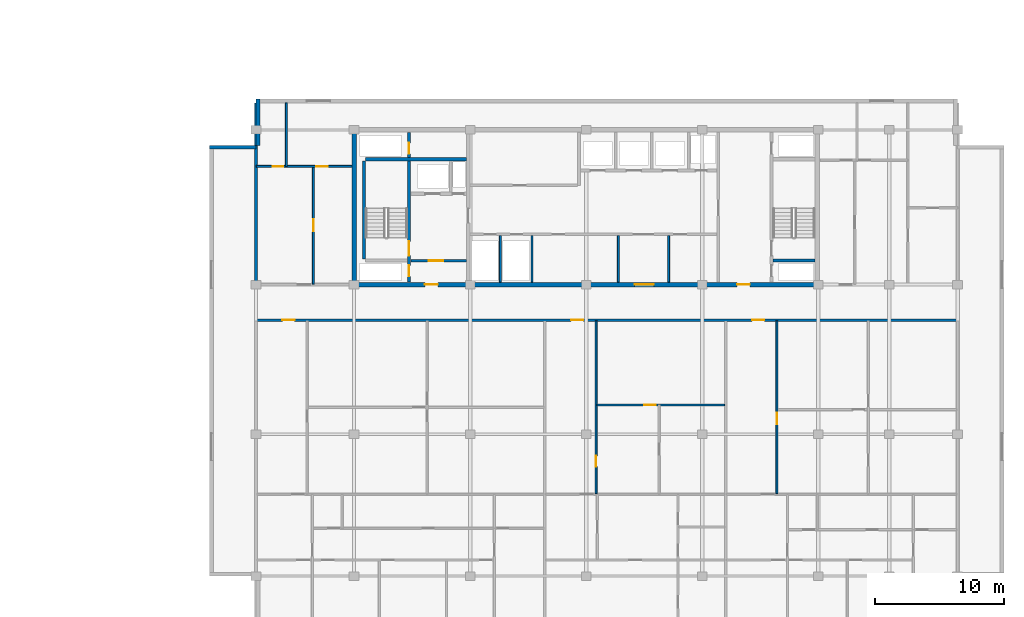
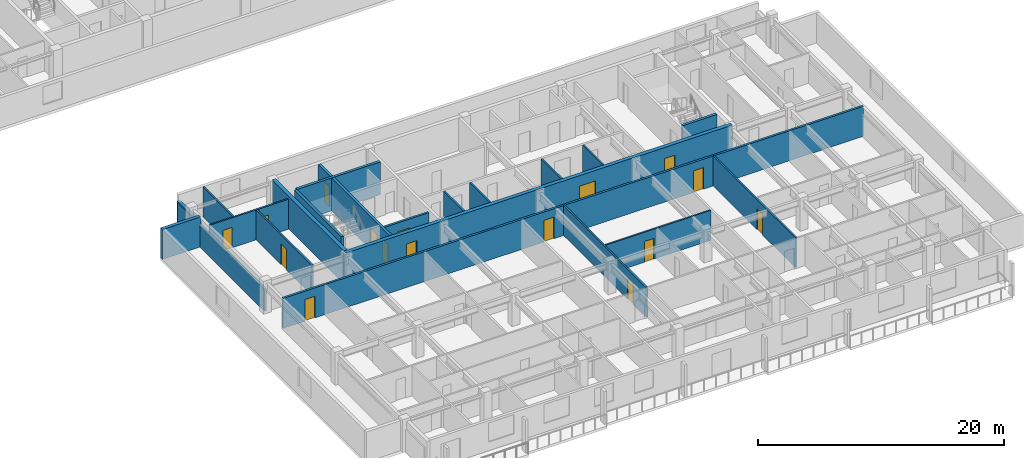
# One storey, part 6 of 22: 21 walls, 16 doors, 16 openings.
"""IFC4 building model written with IfcOpenShell, lengths in metres."""

from ifc_helpers import new_model, si_unit, direction, frame, frame_2d, origin, place, context, subcontext, project, spatial, rectangle, extrude, material, layer, layer_set, type_object, element, fill, save


model = new_model("IFC4")

# Units and contexts
model_context = context("Model", 3, precision=1e-05, world=origin(), true_north=direction((0.0, 1.0)))
body_context = subcontext(model_context, "Body", "Model", "MODEL_VIEW")
ifc_project = project(units=[si_unit("LENGTHUNIT", "METRE"), si_unit("AREAUNIT", "SQUARE_METRE"), si_unit("VOLUMEUNIT", "CUBIC_METRE"), si_unit("PLANEANGLEUNIT", "RADIAN"), si_unit("MASSUNIT", "GRAM", prefix="KILO")], contexts=[model_context])

# Site, building, storey
site_placement = place(None, origin())
site = spatial("IfcSite", under=ifc_project, at=site_placement, CompositionType="ELEMENT")
building_placement = place(site_placement, origin())
building = spatial("IfcBuilding", under=site, at=building_placement, Name="Korimba Cascade Residences", CompositionType="ELEMENT")
storey_placement = place(building_placement, frame((0.0, 0.0, 194.60009765625)))
storey = spatial("IfcBuildingStorey", under=building, at=storey_placement, Name="L56", CompositionType="ELEMENT", Elevation=194.60009765625)

# Walls
ifc_material_1 = material(Name="Precast concrete C40/50", Category="concrete")
ifc_layer_1 = layer(ifc_material_1, 0.300048828125)
ifc_layer_set_1 = layer_set([ifc_layer_1], Name="Precast concrete C40/50")
wall_type_1 = type_object("IfcWallType", Name="EW-STONE-300", PredefinedType="STANDARD", material=ifc_layer_set_1)
wall_1_placement = place(storey_placement, frame((74.64990234375, 32.800048828125, 0.0), z_axis=(0.0, 0.0, 1.0), x_axis=(0.0, -1.0, 0.0)))
element("IfcWall", 1, at=wall_1_placement, inside=storey, type_object=wall_type_1, Name="L56 T2 Perimeter Stone Wall E07", PredefinedType="STANDARD", context=body_context, shape_type="SweptSolid", body=[
    extrude(rectangle(XDim=3.60009765625, YDim=0.300048828125, at=frame_2d((1.800048828125, 0.0))), origin(), (0.0, 0.0, 1.0), 2.2001953125),
])
wall_2_placement = place(storey_placement, frame((74.5, 29.050048828125, 0.0), z_axis=(0.0, 0.0, 1.0), x_axis=(-1.0, 0.0, 0.0)))
element("IfcWall", 2, at=wall_2_placement, inside=storey, type_object=wall_type_1, Name="L56 T2 Perimeter Stone Wall E08", PredefinedType="STANDARD", context=body_context, shape_type="SweptSolid", body=[
    extrude(rectangle(XDim=3.60009765625, YDim=0.300048828125, at=frame_2d((1.800048828125, 0.0))), origin(), (0.0, 0.0, 1.0), 2.969970703125),
])
ifc_material_2 = material(Name="Concrete C65/80", Category="concrete")
ifc_layer_2 = layer(ifc_material_2, 0.35009765625)
ifc_layer_set_2 = layer_set([ifc_layer_2], Name="Concrete C65/80")
wall_type_2 = type_object("IfcWallType", Name="WAL-CORE-350", PredefinedType="SHEAR", material=ifc_layer_set_2)
wall_3_placement = place(storey_placement, frame((82.10009765625, 18.574951171875, 0.0), z_axis=(0.0, 0.0, 1.0), x_axis=(0.0, 1.0, 0.0)))
element("IfcWall", 3, at=wall_3_placement, inside=storey, type_object=wall_type_2, Name="L56 Core Shear Wall CW-L56-T2-W", PredefinedType="SHEAR", context=body_context, shape_type="SweptSolid", body=[
    extrude(rectangle(XDim=11.650146484375, YDim=0.35009765625, at=frame_2d((5.8251953125, 0.0))), origin(), (0.0, 0.0, 1.0), 3.25),
])

# Wall, openings, doors
wall_4_placement = place(storey_placement, frame((81.925048828125, 18.39990234375, 0.0), z_axis=(0.0, 0.0, 1.0), x_axis=(1.0, 0.0, 0.0)))
wall_4 = element("IfcWall", 4, at=wall_4_placement, inside=storey, type_object=wall_type_2, Name="L56 Core Shear Wall CW-L56-T2-S", PredefinedType="SHEAR", context=body_context, shape_type="SweptSolid", body=[
    extrude(rectangle(XDim=36.264892578125, YDim=0.35009765625, at=frame_2d((18.13232421875, 0.0))), origin(), (0.0, 0.0, 1.0), 3.25),
])
opening_1_placement = place(wall_4_placement, frame((5.675048828125, 0.0, 0.0)))
opening_1 = element("IfcOpeningElement", 5, at=opening_1_placement, cuts=wall_4, Name="Opening D-FD5", PredefinedType="OPENING", context=body_context, shape_type="SweptSolid", body=[
    extrude(rectangle(XDim=1.0, YDim=2.14990234375, at=frame_2d((0.5, 1.074951171875))), frame((0.0, 0.18505859375, 0.0), z_axis=(0.0, -1.0, 0.0), x_axis=(1.0, 0.0, 0.0)), (0.0, 0.0, 1.0), 0.3701171875),
])
opening_2_placement = place(wall_4_placement, frame((21.925048828125, 0.0, 0.0)))
opening_2 = element("IfcOpeningElement", 6, at=opening_2_placement, cuts=wall_4, Name="Opening D-FD8", PredefinedType="OPENING", context=body_context, shape_type="SweptSolid", body=[
    extrude(rectangle(XDim=1.5, YDim=2.199951171875, at=frame_2d((0.75, 1.10009765625))), frame((0.0, 0.18505859375, 0.0), z_axis=(0.0, -1.0, 0.0), x_axis=(1.0, 0.0, 0.0)), (0.0, 0.0, 1.0), 0.3701171875),
])
opening_3_placement = place(wall_4_placement, frame((29.875, 0.0, 0.0)))
opening_3 = element("IfcOpeningElement", 7, at=opening_3_placement, cuts=wall_4, Name="Opening D-FD5", PredefinedType="OPENING", context=body_context, shape_type="SweptSolid", body=[
    extrude(rectangle(XDim=1.0, YDim=2.14990234375, at=frame_2d((0.5, 1.074951171875))), frame((0.0, 0.18505859375, 0.0), z_axis=(0.0, -1.0, 0.0), x_axis=(1.0, 0.0, 0.0)), (0.0, 0.0, 1.0), 0.3701171875),
])
ifc_material_3 = material(Name="Fire-Rated Acoustic Timber Vestibule Door", Category="wood")
door_type_1 = type_object("IfcDoorType", Name="DR-FD90-1000", OperationType="NOTDEFINED", PredefinedType="DOOR", material=ifc_material_3)
door_1_placement = place(opening_1_placement, origin())
door_1 = element("IfcDoor", 8, at=door_1_placement, inside=storey, type_object=door_type_1, Name="L56 T2 West Core Vestibule Fire Door", OperationType="SINGLE_SWING_LEFT", OverallHeight=2.14990234375, OverallWidth=1.0, PredefinedType="DOOR", context=body_context, shape_type="SweptSolid", body=[
    extrude(rectangle(XDim=1.0, YDim=2.14990234375, at=frame_2d((0.5, 1.074951171875))), frame((0.0, 0.02490234375, 0.0), z_axis=(0.0, -1.0, 0.0), x_axis=(1.0, 0.0, 0.0)), (0.0, 0.0, 1.0), 0.050048828125),
])
fill(opening_1, door_1)
door_2_placement = place(opening_3_placement, origin())
door_2 = element("IfcDoor", 9, at=door_2_placement, inside=storey, type_object=door_type_1, Name="L56 T2 East Stair Vestibule Fire Door", OperationType="SINGLE_SWING_RIGHT", OverallHeight=2.14990234375, OverallWidth=1.0, PredefinedType="DOOR", context=body_context, shape_type="SweptSolid", body=[
    extrude(rectangle(XDim=1.0, YDim=2.14990234375, at=frame_2d((0.5, 1.074951171875))), frame((0.0, 0.02490234375, 0.0), z_axis=(0.0, -1.0, 0.0), x_axis=(1.0, 0.0, 0.0)), (0.0, 0.0, 1.0), 0.050048828125),
])
fill(opening_3, door_2)
ifc_material_4 = material(Name="Fire-Rated Glazed Lift Lobby Double Door", Category="glass")
door_type_2 = type_object("IfcDoorType", Name="DR-FD90-1500", OperationType="NOTDEFINED", PredefinedType="DOOR", material=ifc_material_4)
door_3_placement = place(opening_2_placement, origin())
door_3 = element("IfcDoor", 10, at=door_3_placement, inside=storey, type_object=door_type_2, Name="L56 T2 Lift Lobby Fire Door", OperationType="DOUBLE_DOOR_SINGLE_SWING", OverallHeight=2.199951171875, OverallWidth=1.5, PredefinedType="DOOR", context=body_context, shape_type="SweptSolid", body=[
    extrude(rectangle(XDim=1.5, YDim=2.199951171875, at=frame_2d((0.75, 1.10009765625))), frame((0.0, 0.02490234375, 0.0), z_axis=(0.0, -1.0, 0.0), x_axis=(1.0, 0.0, 0.0)), (0.0, 0.0, 1.0), 0.050048828125),
])
fill(opening_2, door_3)

# Wall
ifc_layer_3 = layer(ifc_material_1, 0.199951171875)
ifc_layer_set_3 = layer_set([ifc_layer_3], Name="Precast concrete C40/50")
wall_type_3 = type_object("IfcWallType", Name="WAL-IT-200", PredefinedType="PARTITIONING", material=ifc_layer_set_3)
wall_5_placement = place(storey_placement, frame((74.5, 18.39990234375, 0.0), z_axis=(0.0, 0.0, 1.0), x_axis=(0.0, 1.0, 0.0)))
element("IfcWall", 11, at=wall_5_placement, inside=storey, type_object=wall_type_3, Name="L56 Partition Wall WAL-L56-T2-FW-WL", PredefinedType="PARTITIONING", context=body_context, shape_type="SweptSolid", body=[
    extrude(rectangle(XDim=14.10009765625, YDim=0.199951171875, at=frame_2d((7.050048828125, 0.0))), origin(), (0.0, 0.0, 1.0), 2.2001953125),
])

# Wall, openings, doors
wall_6_placement = place(storey_placement, frame((74.5, 15.64990234375, 0.0), z_axis=(0.0, 0.0, 1.0), x_axis=(1.0, 0.0, 0.0)))
wall_6 = element("IfcWall", 12, at=wall_6_placement, inside=storey, type_object=wall_type_3, Name="L56 Partition Wall WAL-L56-T2-CORS", PredefinedType="PARTITIONING", context=body_context, shape_type="SweptSolid", body=[
    extrude(rectangle(XDim=54.39990234375, YDim=0.199951171875, at=frame_2d((27.199951171875, 0.0))), origin(), (0.0, 0.0, 1.0), 2.969970703125),
])
opening_4_placement = place(wall_6_placement, frame((2.044921875, 0.0, 0.0)))
opening_4 = element("IfcOpeningElement", 13, at=opening_4_placement, cuts=wall_6, Name="Opening D-UN1", PredefinedType="OPENING", context=body_context, shape_type="SweptSolid", body=[
    extrude(rectangle(XDim=0.949951171875, YDim=2.14990234375, at=frame_2d((0.47509765625, 1.074951171875))), frame((0.0, 0.10986328125, 0.0), z_axis=(0.0, -1.0, 0.0), x_axis=(1.0, 0.0, 0.0)), (0.0, 0.0, 1.0), 0.219970703125),
])
opening_5_placement = place(wall_6_placement, frame((24.444091796875, 0.0, 0.0)))
opening_5 = element("IfcOpeningElement", 14, at=opening_5_placement, cuts=wall_6, Name="Opening D-UN1", PredefinedType="OPENING", context=body_context, shape_type="SweptSolid", body=[
    extrude(rectangle(XDim=0.949951171875, YDim=2.14990234375, at=frame_2d((0.47509765625, 1.074951171875))), frame((0.0, 0.10986328125, 0.0), z_axis=(0.0, -1.0, 0.0), x_axis=(1.0, 0.0, 0.0)), (0.0, 0.0, 1.0), 0.219970703125),
])
opening_6_placement = place(wall_6_placement, frame((38.46630859375, 0.0, 0.0)))
opening_6 = element("IfcOpeningElement", 15, at=opening_6_placement, cuts=wall_6, Name="Opening D-UN1", PredefinedType="OPENING", context=body_context, shape_type="SweptSolid", body=[
    extrude(rectangle(XDim=0.949951171875, YDim=2.14990234375, at=frame_2d((0.47509765625, 1.074951171875))), frame((0.0, 0.10986328125, 0.0), z_axis=(0.0, -1.0, 0.0), x_axis=(1.0, 0.0, 0.0)), (0.0, 0.0, 1.0), 0.219970703125),
])
ifc_material_5 = material(Name="Fire-Rated Hardwood Apartment Entrance Door", Category="wood")
door_type_3 = type_object("IfcDoorType", Name="DR-FD60-950", OperationType="NOTDEFINED", PredefinedType="DOOR", material=ifc_material_5)
door_4_placement = place(opening_4_placement, origin())
door_4 = element("IfcDoor", 16, at=door_4_placement, inside=storey, type_object=door_type_3, Name="Unit L56-T2-U01 Entrance Door", OperationType="SINGLE_SWING_LEFT", OverallHeight=2.14990234375, OverallWidth=0.949951171875, PredefinedType="DOOR", context=body_context, shape_type="SweptSolid", body=[
    extrude(rectangle(XDim=0.949951171875, YDim=2.14990234375, at=frame_2d((0.47509765625, 1.074951171875))), frame((0.0, 0.02490234375, 0.0), z_axis=(0.0, -1.0, 0.0), x_axis=(1.0, 0.0, 0.0)), (0.0, 0.0, 1.0), 0.050048828125),
])
fill(opening_4, door_4)
door_5_placement = place(opening_5_placement, origin())
door_5 = element("IfcDoor", 17, at=door_5_placement, inside=storey, type_object=door_type_3, Name="Unit L56-T2-U02 Entrance Door", OperationType="SINGLE_SWING_RIGHT", OverallHeight=2.14990234375, OverallWidth=0.949951171875, PredefinedType="DOOR", context=body_context, shape_type="SweptSolid", body=[
    extrude(rectangle(XDim=0.949951171875, YDim=2.14990234375, at=frame_2d((0.47509765625, 1.074951171875))), frame((0.0, 0.02490234375, 0.0), z_axis=(0.0, -1.0, 0.0), x_axis=(1.0, 0.0, 0.0)), (0.0, 0.0, 1.0), 0.050048828125),
])
fill(opening_5, door_5)
door_6_placement = place(opening_6_placement, origin())
door_6 = element("IfcDoor", 18, at=door_6_placement, inside=storey, type_object=door_type_3, Name="Unit L56-T2-U03 Entrance Door", OperationType="SINGLE_SWING_LEFT", OverallHeight=2.14990234375, OverallWidth=0.949951171875, PredefinedType="DOOR", context=body_context, shape_type="SweptSolid", body=[
    extrude(rectangle(XDim=0.949951171875, YDim=2.14990234375, at=frame_2d((0.47509765625, 1.074951171875))), frame((0.0, 0.02490234375, 0.0), z_axis=(0.0, -1.0, 0.0), x_axis=(1.0, 0.0, 0.0)), (0.0, 0.0, 1.0), 0.050048828125),
])
fill(opening_6, door_6)

# Walls
ifc_material_6 = material(Name="Insulated Acoustic Stud Partition", Category="gypsum")
ifc_layer_4 = layer(ifc_material_6, 0.14990234375)
ifc_layer_set_4 = layer_set([ifc_layer_4], Name="Insulated Acoustic Stud Partition")
wall_type_4 = type_object("IfcWallType", Name="WAL-PART-150", PredefinedType="PARTITIONING", material=ifc_layer_set_4)
for number, where, z_axis, x_axis, name in (
    (19, (93.449951171875, 18.60009765625, 0.0), (0.0, 0.0, 1.0), (0.0, 1.0, 0.0), "L56 Partition Wall CW-L56-T2-ERDIV"),
    (20, (95.89990234375, 18.60009765625, 0.0), (0.0, 0.0, 1.0), (0.0, 1.0, 0.0), "L56 Partition Wall CW-L56-T2-PRDIV"),
    (21, (102.60009765625, 18.60009765625, 0.0), (0.0, 0.0, 1.0), (0.0, 1.0, 0.0), "L56 Partition Wall CW-L56-T2-THW"),
    (22, (106.5, 18.60009765625, 0.0), (0.0, 0.0, 1.0), (0.0, 1.0, 0.0), "L56 Partition Wall CW-L56-T2-THE"),
):
    element("IfcWall", number, at=place(storey_placement, frame(where, z_axis=z_axis, x_axis=x_axis)), inside=storey, type_object=wall_type_4, Name=name, PredefinedType="PARTITIONING", context=body_context, shape_type="SweptSolid", body=[
        extrude(rectangle(XDim=3.599853515625, YDim=0.14990234375, at=frame_2d((1.7998046875, 0.0))), origin(), (0.0, 0.0, 1.0), 2.969970703125),
    ])

# Wall, opening, door
wall_7_placement = place(storey_placement, frame((78.945068359375, 18.449951171875, 0.0), z_axis=(0.0, 0.0, 1.0), x_axis=(0.0, 1.0, 0.0)))
wall_7 = element("IfcWall", 23, at=wall_7_placement, inside=storey, type_object=wall_type_4, Name="L56 Partition Wall WAL-L56-T2-FW-VS", PredefinedType="PARTITIONING", context=body_context, shape_type="SweptSolid", body=[
    extrude(rectangle(XDim=9.1201171875, YDim=0.14990234375, at=frame_2d((4.56005859375, 0.0))), origin(), (0.0, 0.0, 1.0), 2.969970703125),
])
opening_7_placement = place(wall_7_placement, frame((4.10009765625, 0.0, 0.0)))
opening_7 = element("IfcOpeningElement", 24, at=opening_7_placement, cuts=wall_7, Name="Opening D-IN1", PredefinedType="OPENING", context=body_context, shape_type="SweptSolid", body=[
    extrude(rectangle(XDim=0.919921875, YDim=2.080078125, at=frame_2d((0.4599609375, 1.0400390625))), frame((0.0, 0.0849609375, 0.0), z_axis=(0.0, -1.0, 0.0), x_axis=(1.0, 0.0, 0.0)), (0.0, 0.0, 1.0), 0.169921875),
])
ifc_material_7 = material(Name="Acoustic Timber Living Door", Category="wood")
door_type_4 = type_object("IfcDoorType", Name="DR-INT-920", OperationType="NOTDEFINED", PredefinedType="DOOR", material=ifc_material_7)
door_7_placement = place(opening_7_placement, origin())
door_7 = element("IfcDoor", 25, at=door_7_placement, inside=storey, type_object=door_type_4, Name="L56-T2-FW Living Door", OperationType="SINGLE_SWING_LEFT", OverallHeight=2.080078125, OverallWidth=0.919921875, PredefinedType="DOOR", context=body_context, shape_type="SweptSolid", body=[
    extrude(rectangle(XDim=0.919921875, YDim=2.080078125, at=frame_2d((0.4599609375, 1.0400390625))), frame((0.0, 0.02490234375, 0.0), z_axis=(0.0, -1.0, 0.0), x_axis=(1.0, 0.0, 0.0)), (0.0, 0.0, 1.0), 0.050048828125),
])
fill(opening_7, door_7)

# Wall
wall_8_placement = place(storey_placement, frame((76.85009765625, 27.570068359375, 0.0), z_axis=(0.0, 0.0, 1.0), x_axis=(0.0, 1.0, 0.0)))
element("IfcWall", 26, at=wall_8_placement, inside=storey, type_object=wall_type_4, Name="L56 Partition Wall WAL-L56-T2-FW-VN", PredefinedType="PARTITIONING", context=body_context, shape_type="SweptSolid", body=[
    extrude(rectangle(XDim=4.929931640625, YDim=0.14990234375, at=frame_2d((2.46484375, 0.0))), origin(), (0.0, 0.0, 1.0), 2.969970703125),
])

# Wall, openings, doors
wall_9_placement = place(storey_placement, frame((74.52001953125, 27.570068359375, 0.0), z_axis=(0.0, 0.0, 1.0), x_axis=(1.0, 0.0, 0.0)))
wall_9 = element("IfcWall", 27, at=wall_9_placement, inside=storey, type_object=wall_type_4, Name="L56 Partition Wall WAL-L56-T2-FW-H", PredefinedType="PARTITIONING", context=body_context, shape_type="SweptSolid", body=[
    extrude(rectangle(XDim=7.409912109375, YDim=0.14990234375, at=frame_2d((3.705078125, 0.0))), origin(), (0.0, 0.0, 1.0), 2.969970703125),
])
opening_8_placement = place(wall_9_placement, frame((1.266357421875, 0.0, 0.0)))
opening_8 = element("IfcOpeningElement", 28, at=opening_8_placement, cuts=wall_9, Name="Opening D-BT1", PredefinedType="OPENING", context=body_context, shape_type="SweptSolid", body=[
    extrude(rectangle(XDim=0.840087890625, YDim=2.0400390625, at=frame_2d((0.419921875, 1.02001953125))), frame((0.0, 0.0849609375, 0.0), z_axis=(0.0, -1.0, 0.0), x_axis=(1.0, 0.0, 0.0)), (0.0, 0.0, 1.0), 0.169921875),
])
opening_9_placement = place(wall_9_placement, frame((4.64501953125, 0.0, 0.0)))
opening_9 = element("IfcOpeningElement", 29, at=opening_9_placement, cuts=wall_9, Name="Opening D-IN2", PredefinedType="OPENING", context=body_context, shape_type="SweptSolid", body=[
    extrude(rectangle(XDim=0.8798828125, YDim=2.06005859375, at=frame_2d((0.43994140625, 1.030029296875))), frame((0.0, 0.0849609375, 0.0), z_axis=(0.0, -1.0, 0.0), x_axis=(1.0, 0.0, 0.0)), (0.0, 0.0, 1.0), 0.169921875),
])
ifc_material_8 = material(Name="Moisture-Resistant Bathroom Timber Door", Category="wood")
door_type_5 = type_object("IfcDoorType", Name="DR-INT-850", OperationType="NOTDEFINED", PredefinedType="DOOR", material=ifc_material_8)
door_8_placement = place(opening_8_placement, origin())
door_8 = element("IfcDoor", 30, at=door_8_placement, inside=storey, type_object=door_type_5, Name="L56-T2-FW Bathroom Door", OperationType="SINGLE_SWING_RIGHT", OverallHeight=2.0400390625, OverallWidth=0.840087890625, PredefinedType="DOOR", context=body_context, shape_type="SweptSolid", body=[
    extrude(rectangle(XDim=0.840087890625, YDim=2.0400390625, at=frame_2d((0.419921875, 1.02001953125))), frame((0.0, 0.02490234375, 0.0), z_axis=(0.0, -1.0, 0.0), x_axis=(1.0, 0.0, 0.0)), (0.0, 0.0, 1.0), 0.050048828125),
])
fill(opening_8, door_8)
ifc_material_9 = material(Name="Acoustic Timber Bedroom Door", Category="wood")
door_type_6 = type_object("IfcDoorType", Name="DR-INT-880", OperationType="NOTDEFINED", PredefinedType="DOOR", material=ifc_material_9)
door_9_placement = place(opening_9_placement, origin())
door_9 = element("IfcDoor", 31, at=door_9_placement, inside=storey, type_object=door_type_6, Name="L56-T2-FW Bedroom Door", OperationType="SINGLE_SWING_LEFT", OverallHeight=2.06005859375, OverallWidth=0.8798828125, PredefinedType="DOOR", context=body_context, shape_type="SweptSolid", body=[
    extrude(rectangle(XDim=0.8798828125, YDim=2.06005859375, at=frame_2d((0.43994140625, 1.030029296875))), frame((0.0, 0.02490234375, 0.0), z_axis=(0.0, -1.0, 0.0), x_axis=(1.0, 0.0, 0.0)), (0.0, 0.0, 1.0), 0.050048828125),
])
fill(opening_9, door_9)

# Wall, opening, door
wall_10_placement = place(storey_placement, frame((100.92919921875, 9.070068359375, 0.0), z_axis=(0.0, 0.0, 1.0), x_axis=(1.0, 0.0, 0.0)))
wall_10 = element("IfcWall", 32, at=wall_10_placement, inside=storey, type_object=wall_type_4, Name="L56 Partition Wall WAL-L56-T2-U02-FMH", PredefinedType="PARTITIONING", context=body_context, shape_type="SweptSolid", body=[
    extrude(rectangle(XDim=9.912109375, YDim=0.14990234375, at=frame_2d((4.9560546875, 0.0))), origin(), (0.0, 0.0, 1.0), 2.969970703125),
])
opening_10_placement = place(wall_10_placement, frame((3.66845703125, 0.0, 0.0)))
opening_10 = element("IfcOpeningElement", 33, at=opening_10_placement, cuts=wall_10, Name="Opening D-IN2", PredefinedType="OPENING", context=body_context, shape_type="SweptSolid", body=[
    extrude(rectangle(XDim=0.8798828125, YDim=2.06005859375, at=frame_2d((0.43994140625, 1.030029296875))), frame((0.0, 0.0849609375, 0.0), z_axis=(0.0, -1.0, 0.0), x_axis=(1.0, 0.0, 0.0)), (0.0, 0.0, 1.0), 0.169921875),
])
door_10_placement = place(opening_10_placement, origin())
door_10 = element("IfcDoor", 34, at=door_10_placement, inside=storey, type_object=door_type_6, Name="L56-T2-U02 Library Salon Door", OperationType="SINGLE_SWING_RIGHT", OverallHeight=2.06005859375, OverallWidth=0.8798828125, PredefinedType="DOOR", context=body_context, shape_type="SweptSolid", body=[
    extrude(rectangle(XDim=0.8798828125, YDim=2.06005859375, at=frame_2d((0.43994140625, 1.030029296875))), frame((0.0, 0.02490234375, 0.0), z_axis=(0.0, -1.0, 0.0), x_axis=(1.0, 0.0, 0.0)), (0.0, 0.0, 1.0), 0.050048828125),
])
fill(opening_10, door_10)

wall_11_placement = place(storey_placement, frame((100.869140625, 2.18994140625, 0.0), z_axis=(0.0, 0.0, 1.0), x_axis=(0.0, 1.0, 0.0)))
wall_11 = element("IfcWall", 35, at=wall_11_placement, inside=storey, type_object=wall_type_4, Name="L56 Partition Wall WAL-L56-T2-U02-FV", PredefinedType="PARTITIONING", context=body_context, shape_type="SweptSolid", body=[
    extrude(rectangle(XDim=13.400146484375, YDim=0.14990234375, at=frame_2d((6.7001953125, 0.0))), origin(), (0.0, 0.0, 1.0), 2.969970703125),
])
opening_11_placement = place(wall_11_placement, frame((2.077880859375, 0.0, 0.0)))
opening_11 = element("IfcOpeningElement", 36, at=opening_11_placement, cuts=wall_11, Name="Opening D-IN2", PredefinedType="OPENING", context=body_context, shape_type="SweptSolid", body=[
    extrude(rectangle(XDim=0.8798828125, YDim=2.06005859375, at=frame_2d((0.43994140625, 1.030029296875))), frame((0.0, 0.0849609375, 0.0), z_axis=(0.0, -1.0, 0.0), x_axis=(1.0, 0.0, 0.0)), (0.0, 0.0, 1.0), 0.169921875),
])
door_11_placement = place(opening_11_placement, origin())
door_11 = element("IfcDoor", 37, at=door_11_placement, inside=storey, type_object=door_type_6, Name="L56-T2-U02 Media Lounge Door", OperationType="SINGLE_SWING_LEFT", OverallHeight=2.06005859375, OverallWidth=0.8798828125, PredefinedType="DOOR", context=body_context, shape_type="SweptSolid", body=[
    extrude(rectangle(XDim=0.8798828125, YDim=2.06005859375, at=frame_2d((0.43994140625, 1.030029296875))), frame((0.0, 0.02490234375, 0.0), z_axis=(0.0, -1.0, 0.0), x_axis=(1.0, 0.0, 0.0)), (0.0, 0.0, 1.0), 0.050048828125),
])
fill(opening_11, door_11)

wall_12_placement = place(storey_placement, frame((114.891357421875, 2.18994140625, 0.0), z_axis=(0.0, 0.0, 1.0), x_axis=(0.0, 1.0, 0.0)))
wall_12 = element("IfcWall", 38, at=wall_12_placement, inside=storey, type_object=wall_type_4, Name="L56 Partition Wall WAL-L56-T2-U03-FV", PredefinedType="PARTITIONING", context=body_context, shape_type="SweptSolid", body=[
    extrude(rectangle(XDim=13.400146484375, YDim=0.14990234375, at=frame_2d((6.7001953125, 0.0))), origin(), (0.0, 0.0, 1.0), 2.969970703125),
])
opening_12_placement = place(wall_12_placement, frame((5.389892578125, 0.0, 0.0)))
opening_12 = element("IfcOpeningElement", 39, at=opening_12_placement, cuts=wall_12, Name="Opening D-IN2", PredefinedType="OPENING", context=body_context, shape_type="SweptSolid", body=[
    extrude(rectangle(XDim=0.8798828125, YDim=2.06005859375, at=frame_2d((0.43994140625, 1.030029296875))), frame((0.0, 0.0849609375, 0.0), z_axis=(0.0, -1.0, 0.0), x_axis=(1.0, 0.0, 0.0)), (0.0, 0.0, 1.0), 0.169921875),
])
door_12_placement = place(opening_12_placement, origin())
door_12 = element("IfcDoor", 40, at=door_12_placement, inside=storey, type_object=door_type_6, Name="L56-T2-U03 Media Lounge Door", OperationType="SINGLE_SWING_LEFT", OverallHeight=2.06005859375, OverallWidth=0.8798828125, PredefinedType="DOOR", context=body_context, shape_type="SweptSolid", body=[
    extrude(rectangle(XDim=0.8798828125, YDim=2.06005859375, at=frame_2d((0.43994140625, 1.030029296875))), frame((0.0, 0.02490234375, 0.0), z_axis=(0.0, -1.0, 0.0), x_axis=(1.0, 0.0, 0.0)), (0.0, 0.0, 1.0), 0.050048828125),
])
fill(opening_12, door_12)

ifc_material_10 = material(Name="Concrete C40/50", Category="concrete")
ifc_layer_5 = layer(ifc_material_10, 0.199951171875)
ifc_layer_set_5 = layer_set([ifc_layer_5], Name="Concrete C40/50")
wall_type_5 = type_object("IfcWallType", Name="WAL-PART-200", PredefinedType="PARTITIONING", material=ifc_layer_set_5)
wall_13_placement = place(storey_placement, frame((86.5, 20.25, 0.0), z_axis=(0.0, 0.0, 1.0), x_axis=(1.0, 0.0, 0.0)))
wall_13 = element("IfcWall", 41, at=wall_13_placement, inside=storey, type_object=wall_type_5, Name="L56 Partition Wall CW-L56-T2-FFLS", PredefinedType="PARTITIONING", context=body_context, shape_type="SweptSolid", body=[
    extrude(rectangle(XDim=4.320068359375, YDim=0.199951171875, at=frame_2d((2.16015625, 0.0))), origin(), (0.0, 0.0, 1.0), 2.969970703125),
])
opening_13_placement = place(wall_13_placement, frame((1.39990234375, 0.0, 0.0)))
opening_13 = element("IfcOpeningElement", 42, at=opening_13_placement, cuts=wall_13, Name="Opening D-FD1", PredefinedType="OPENING", context=body_context, shape_type="SweptSolid", body=[
    extrude(rectangle(XDim=1.10009765625, YDim=2.10009765625, at=frame_2d((0.550048828125, 1.050048828125))), frame((0.0, 0.10986328125, 0.0), z_axis=(0.0, -1.0, 0.0), x_axis=(1.0, 0.0, 0.0)), (0.0, 0.0, 1.0), 0.219970703125),
])
ifc_material_11 = material(Name="Fire-Rated Steel Core Door", Category="steel")
door_type_7 = type_object("IfcDoorType", Name="DR-FD120-1100", OperationType="NOTDEFINED", PredefinedType="DOOR", material=ifc_material_11)
door_13_placement = place(opening_13_placement, origin())
door_13 = element("IfcDoor", 43, at=door_13_placement, inside=storey, type_object=door_type_7, Name="L56 T2 Firefighting Lobby Door", OperationType="SINGLE_SWING_LEFT", OverallHeight=2.10009765625, OverallWidth=1.10009765625, PredefinedType="DOOR", context=body_context, shape_type="SweptSolid", body=[
    extrude(rectangle(XDim=1.10009765625, YDim=2.10009765625, at=frame_2d((0.550048828125, 1.050048828125))), frame((0.0, 0.02490234375, 0.0), z_axis=(0.0, -1.0, 0.0), x_axis=(1.0, 0.0, 0.0)), (0.0, 0.0, 1.0), 0.050048828125),
])
fill(opening_13, door_13)

# Wall
ifc_material_12 = material(Name="Concrete C50/60", Category="concrete")
ifc_layer_6 = layer(ifc_material_12, 0.25)
ifc_layer_set_6 = layer_set([ifc_layer_6], Name="Concrete C50/60")
wall_type_6 = type_object("IfcWallType", Name="WAL-SHAFT-250", PredefinedType="SHEAR", material=ifc_layer_set_6)
wall_14_placement = place(storey_placement, frame((82.875, 20.39990234375, 0.0), z_axis=(0.0, 0.0, 1.0), x_axis=(0.0, 1.0, 0.0)))
element("IfcWall", 44, at=wall_14_placement, inside=storey, type_object=wall_type_6, Name="L56 Core Shear Wall CW-L56-T2-STE1W", PredefinedType="SHEAR", context=body_context, shape_type="SweptSolid", body=[
    extrude(rectangle(XDim=7.60009765625, YDim=0.25, at=frame_2d((3.800048828125, 0.0))), origin(), (0.0, 0.0, 1.0), 3.25),
])

# Wall, openings, doors
wall_15_placement = place(storey_placement, frame((86.364990234375, 18.60009765625, 0.0), z_axis=(0.0, 0.0, 1.0), x_axis=(0.0, 1.0, 0.0)))
wall_15 = element("IfcWall", 45, at=wall_15_placement, inside=storey, type_object=wall_type_6, Name="L56 Core Shear Wall CW-L56-T2-STE1E", PredefinedType="SHEAR", context=body_context, shape_type="SweptSolid", body=[
    extrude(rectangle(XDim=11.599853515625, YDim=0.25, at=frame_2d((5.7998046875, 0.0))), origin(), (0.0, 0.0, 1.0), 3.25),
])
opening_14_placement = place(wall_15_placement, frame((0.449951171875, 0.0, 0.0)))
opening_14 = element("IfcOpeningElement", 46, at=opening_14_placement, cuts=wall_15, Name="Opening D-RS1", PredefinedType="OPENING", context=body_context, shape_type="SweptSolid", body=[
    extrude(rectangle(XDim=0.85009765625, YDim=2.050048828125, at=frame_2d((0.425048828125, 1.02490234375))), frame((0.0, 0.135009765625, 0.0), z_axis=(0.0, -1.0, 0.0), x_axis=(1.0, 0.0, 0.0)), (0.0, 0.0, 1.0), 0.27001953125),
])
opening_15_placement = place(wall_15_placement, frame((2.050048828125, 0.0, 0.0)))
opening_15 = element("IfcOpeningElement", 47, at=opening_15_placement, cuts=wall_15, Name="Opening D-FD1", PredefinedType="OPENING", context=body_context, shape_type="SweptSolid", body=[
    extrude(rectangle(XDim=1.10009765625, YDim=2.10009765625, at=frame_2d((0.550048828125, 1.050048828125))), frame((0.0, 0.135009765625, 0.0), z_axis=(0.0, -1.0, 0.0), x_axis=(1.0, 0.0, 0.0)), (0.0, 0.0, 1.0), 0.27001953125),
])
opening_16_placement = place(wall_15_placement, frame((9.949951171875, 0.0, 0.0)))
opening_16 = element("IfcOpeningElement", 48, at=opening_16_placement, cuts=wall_15, Name="Opening D-RS1", PredefinedType="OPENING", context=body_context, shape_type="SweptSolid", body=[
    extrude(rectangle(XDim=0.85009765625, YDim=2.050048828125, at=frame_2d((0.425048828125, 1.02490234375))), frame((0.0, 0.135009765625, 0.0), z_axis=(0.0, -1.0, 0.0), x_axis=(1.0, 0.0, 0.0)), (0.0, 0.0, 1.0), 0.27001953125),
])
door_14_placement = place(opening_15_placement, origin())
door_14 = element("IfcDoor", 49, at=door_14_placement, inside=storey, type_object=door_type_7, Name="L56 Fire Stair ST-E1 Door", OperationType="SINGLE_SWING_RIGHT", OverallHeight=2.10009765625, OverallWidth=1.10009765625, PredefinedType="DOOR", context=body_context, shape_type="SweptSolid", body=[
    extrude(rectangle(XDim=1.10009765625, YDim=2.10009765625, at=frame_2d((0.550048828125, 1.050048828125))), frame((0.0, 0.02490234375, 0.0), z_axis=(0.0, -1.0, 0.0), x_axis=(1.0, 0.0, 0.0)), (0.0, 0.0, 1.0), 0.050048828125),
])
fill(opening_15, door_14)
ifc_material_13 = material(Name="Fire-Rated Steel Riser Access Door", Category="steel")
door_type_8 = type_object("IfcDoorType", Name="DR-FD60-850", OperationType="NOTDEFINED", PredefinedType="DOOR", material=ifc_material_13)
door_15_placement = place(opening_14_placement, origin())
door_15 = element("IfcDoor", 50, at=door_15_placement, inside=storey, type_object=door_type_8, Name="L56 T2 Hydrant Riser Door", OperationType="SINGLE_SWING_LEFT", OverallHeight=2.050048828125, OverallWidth=0.85009765625, PredefinedType="DOOR", context=body_context, shape_type="SweptSolid", body=[
    extrude(rectangle(XDim=0.85009765625, YDim=2.050048828125, at=frame_2d((0.425048828125, 1.02490234375))), frame((0.0, 0.02490234375, 0.0), z_axis=(0.0, -1.0, 0.0), x_axis=(1.0, 0.0, 0.0)), (0.0, 0.0, 1.0), 0.050048828125),
])
fill(opening_14, door_15)
door_16_placement = place(opening_16_placement, origin())
door_16 = element("IfcDoor", 51, at=door_16_placement, inside=storey, type_object=door_type_8, Name="L56 T2 Smoke Shaft Door", OperationType="SINGLE_SWING_LEFT", OverallHeight=2.050048828125, OverallWidth=0.85009765625, PredefinedType="DOOR", context=body_context, shape_type="SweptSolid", body=[
    extrude(rectangle(XDim=0.85009765625, YDim=2.050048828125, at=frame_2d((0.425048828125, 1.02490234375))), frame((0.0, 0.02490234375, 0.0), z_axis=(0.0, -1.0, 0.0), x_axis=(1.0, 0.0, 0.0)), (0.0, 0.0, 1.0), 0.050048828125),
])
fill(opening_16, door_16)

# Walls
wall_16_placement = place(storey_placement, frame((83.0, 28.125, 0.0), z_axis=(0.0, 0.0, 1.0), x_axis=(1.0, 0.0, 0.0)))
element("IfcWall", 52, at=wall_16_placement, inside=storey, type_object=wall_type_6, Name="L56 Core Shear Wall CW-L56-T2-STE1N", PredefinedType="SHEAR", context=body_context, shape_type="SweptSolid", body=[
    extrude(rectangle(XDim=7.820068359375, YDim=0.25, at=frame_2d((3.91015625, 0.0))), origin(), (0.0, 0.0, 1.0), 3.25),
])
wall_17_placement = place(storey_placement, frame((114.60009765625, 20.27490234375, 0.0), z_axis=(0.0, 0.0, 1.0), x_axis=(1.0, 0.0, 0.0)))
element("IfcWall", 53, at=wall_17_placement, inside=storey, type_object=wall_type_6, Name="L56 Core Shear Wall CW-L56-T2-STE2S", PredefinedType="SHEAR", context=body_context, shape_type="SweptSolid", body=[
    extrude(rectangle(XDim=3.239990234375, YDim=0.25, at=frame_2d((1.6201171875, 0.0))), origin(), (0.0, 0.0, 1.0), 3.25),
])

save(model, "model.ifc")
